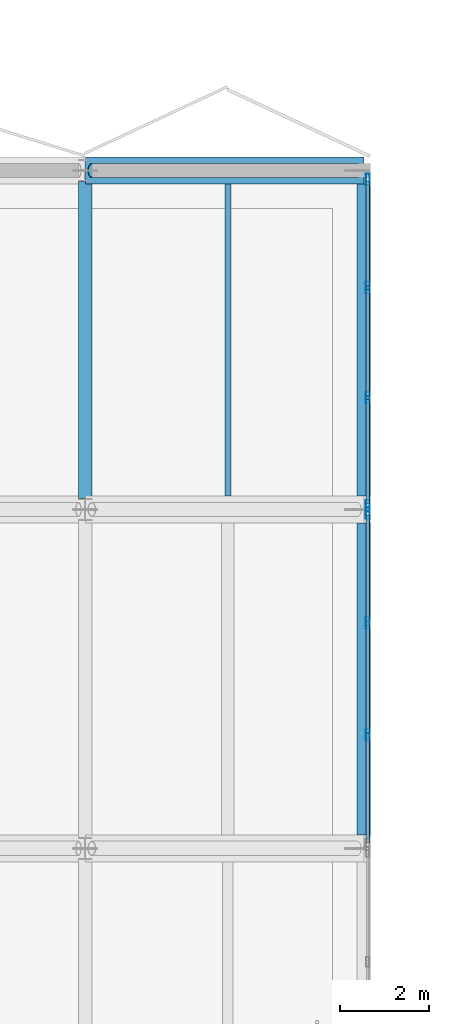
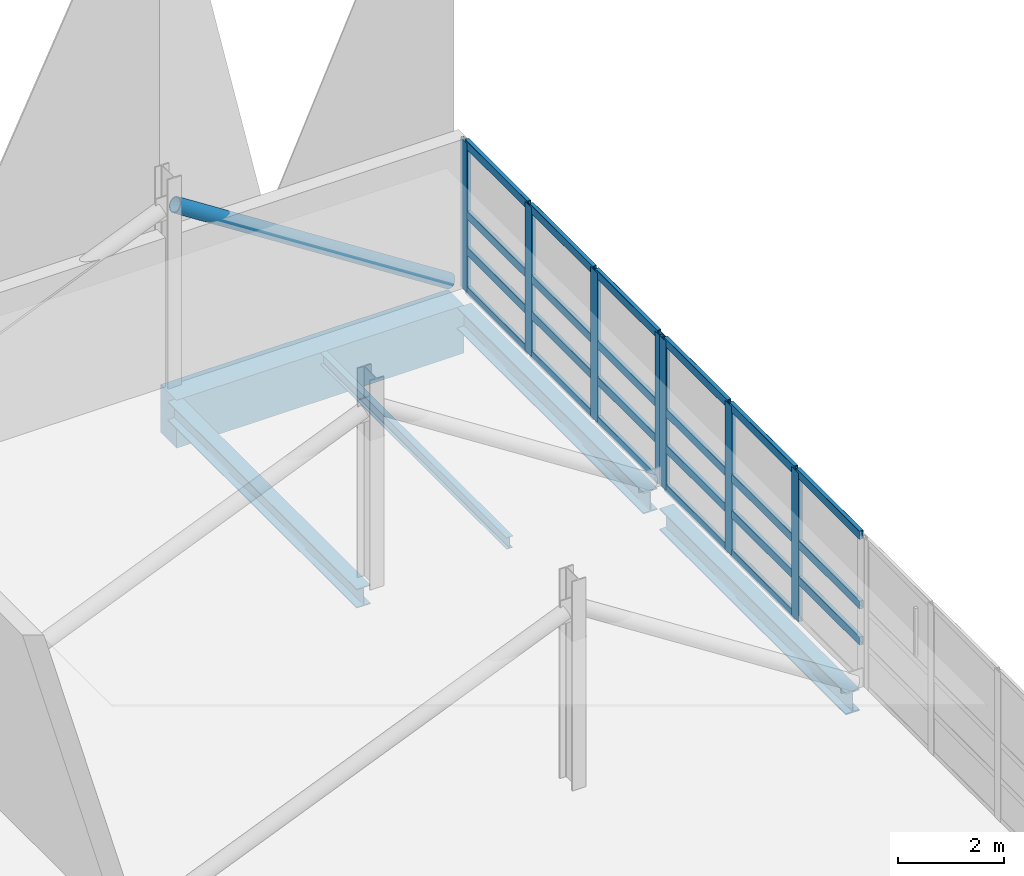
# One storey, part 17 of 107: 31 members, 5 beams, 2 elements without a shape of their own.
"""IFC4 building model written with IfcOpenShell, lengths in metres."""

from ifc_helpers import new_model, si_unit, direction, frame, origin, origin_2d, place, context, subcontext, project, spatial, rectangle, hollow_rectangle, hollow_circle, i_section, extrude, material, material_profile, profile_set, type_object, element, aggregate, save


model = new_model("IFC4")

# Units and contexts
model_context = context("Model", 3, precision=1e-05, world=origin(), true_north=direction((0.0, 1.0)))
body_context = subcontext(model_context, "Body", "Model", "MODEL_VIEW")
ifc_project = project(units=[si_unit("LENGTHUNIT", "METRE"), si_unit("AREAUNIT", "SQUARE_METRE"), si_unit("VOLUMEUNIT", "CUBIC_METRE"), si_unit("PLANEANGLEUNIT", "RADIAN"), si_unit("MASSUNIT", "GRAM", prefix="KILO")], contexts=[model_context])

# Site, building, storey
site_placement = place(None, origin())
site = spatial("IfcSite", under=ifc_project, at=site_placement, CompositionType="ELEMENT")
building_placement = place(site_placement, origin())
building = spatial("IfcBuilding", under=site, at=building_placement, Name="Khelvaren Railside Concert Hall", CompositionType="ELEMENT")
storey_placement = place(building_placement, frame((0.0, 0.0, 15.0)))
storey = spatial("IfcBuildingStorey", under=building, at=storey_placement, Name="L03", CompositionType="ELEMENT", Elevation=15.0)

# Beam
ifc_material_1 = material(Name="Steel S355", Category="steel")
ifc_material_profile_1 = material_profile(ifc_material_1, i_section(OverallWidth=0.300048828125, OverallDepth=0.43994140625, WebThickness=0.011474609375, FlangeThickness=0.02099609375, FilletRadius=0.027099609375, at=origin_2d()), Name="HEA 450")
ifc_profile_set_1 = profile_set([ifc_material_profile_1], Name="Steel S355")
beam_type_1 = type_object("IfcBeamType", Name="BM89", PredefinedType="BEAM", material=ifc_profile_set_1)
beam_1_placement = place(storey_placement, frame((49.60009765625, 38.25, -0.5), z_axis=(0.0, 1.0, 0.0), x_axis=(-1.0, 0.0, 0.0)))
element("IfcBeam", 1, at=beam_1_placement, inside=storey, type_object=beam_type_1, Name="V1 L03 Beam Y7.6", PredefinedType="BEAM", context=body_context, shape_type="SweptSolid", body=[
    extrude(i_section(OverallWidth=0.300048828125, OverallDepth=0.43994140625, WebThickness=0.011474609375, FlangeThickness=0.02099609375, FilletRadius=0.027099609375, at=origin_2d()), origin(), (0.0, 0.0, 1.0), 7.10009765625),
])

# Member
ifc_material_profile_2 = material_profile(ifc_material_1, hollow_circle(Radius=0.161865234375, WallThickness=0.01611328125, at=origin_2d()), Name="CHS 323.9x16")
ifc_profile_set_2 = profile_set([ifc_material_profile_2], Name="Steel S355")
member_type_1 = type_object("IfcMemberType", Name="BR78", PredefinedType="BRACE", material=ifc_profile_set_2)
member_1_placement = place(storey_placement, frame((49.75, 45.60009765625, 3.97998046875), z_axis=(0.840849865516, 0.0, -0.541268421083), x_axis=(0.0, 1.0, 0.0)))
element("IfcMember", 2, at=member_1_placement, inside=storey, type_object=member_type_1, Name="V1 L03 Plaza Cantilever Truss Diagonal 7A", PredefinedType="BRACE", context=body_context, shape_type="SweptSolid", body=[
    extrude(hollow_circle(Radius=0.161865234375, WallThickness=0.01611328125, at=origin_2d()), origin(), (0.0, 0.0, 1.0), 7.076171875),
])

# Curtain wall, members
ifc_material_2 = material(Name="Acoustic laminated crystal facade glass", Category="glass")
curtain_wall_type_1 = type_object("IfcCurtainWallType", Name="CW21", PredefinedType="USERDEFINED", material=ifc_material_2)
curtain_wall_1_placement = place(storey_placement, origin())
curtain_wall_1 = element("IfcCurtainWall", 3, at=curtain_wall_1_placement, inside=storey, type_object=curtain_wall_type_1, Name="Unitised Curtain Wall CW-V1-L03-E-30", ObjectType="UNITISED CURTAIN WALL", PredefinedType="USERDEFINED")
ifc_material_3 = material(Name="Anodised architectural aluminium 6063-T6", Category="aluminium")
ifc_material_profile_3 = material_profile(ifc_material_3, hollow_rectangle(XDim=0.0849609375, YDim=0.260009765625, WallThickness=0.0048828125, InnerFilletRadius=0.0029296875, OuterFilletRadius=0.0048828125, at=origin_2d()), Name="CWM 85x260x5")
ifc_profile_set_3 = profile_set([ifc_material_profile_3], Name="Anodised architectural aluminium 6063-T6")
member_type_2 = type_object("IfcMemberType", Name="CWM40", PredefinedType="MULLION", material=ifc_profile_set_3)
member_2_placement = place(storey_placement, frame((55.93994140625, 37.91748046875, 0.0), z_axis=(0.0, 0.0, 1.0), x_axis=(1.0, 0.0, 0.0)))
member_2 = element("IfcMember", 4, at=member_2_placement, type_object=member_type_2, Name="CW21 mullion 1", PredefinedType="MULLION", context=body_context, shape_type="SweptSolid", body=[
    extrude(hollow_rectangle(XDim=0.0849609375, YDim=0.260009765625, WallThickness=0.0048828125, InnerFilletRadius=0.0029296875, OuterFilletRadius=0.0048828125, at=origin_2d()), origin(), (0.0, 0.0, 1.0), 3.419921875),
])
member_3_placement = place(storey_placement, frame((55.93994140625, 35.453369140625, 0.0), z_axis=(0.0, 0.0, 1.0), x_axis=(1.0, 0.0, 0.0)))
member_3 = element("IfcMember", 5, at=member_3_placement, type_object=member_type_2, Name="CW21 mullion 2", PredefinedType="MULLION", context=body_context, shape_type="SweptSolid", body=[
    extrude(hollow_rectangle(XDim=0.0849609375, YDim=0.260009765625, WallThickness=0.0048828125, InnerFilletRadius=0.0029296875, OuterFilletRadius=0.0048828125, at=origin_2d()), origin(), (0.0, 0.0, 1.0), 3.419921875),
])
member_4_placement = place(storey_placement, frame((55.93994140625, 32.94677734375, 0.0), z_axis=(0.0, 0.0, 1.0), x_axis=(1.0, 0.0, 0.0)))
member_4 = element("IfcMember", 6, at=member_4_placement, type_object=member_type_2, Name="CW21 mullion 3", PredefinedType="MULLION", context=body_context, shape_type="SweptSolid", body=[
    extrude(hollow_rectangle(XDim=0.0849609375, YDim=0.260009765625, WallThickness=0.0048828125, InnerFilletRadius=0.0029296875, OuterFilletRadius=0.0048828125, at=origin_2d()), origin(), (0.0, 0.0, 1.0), 3.419921875),
])

curtain_wall_type_2 = type_object("IfcCurtainWallType", Name="CW15", PredefinedType="USERDEFINED", material=ifc_material_2)
curtain_wall_2_placement = place(storey_placement, origin())
curtain_wall_2 = element("IfcCurtainWall", 7, at=curtain_wall_2_placement, inside=storey, type_object=curtain_wall_type_2, Name="Unitised Curtain Wall CW-V1-L03-E-38", ObjectType="UNITISED CURTAIN WALL", PredefinedType="USERDEFINED")
member_5_placement = place(storey_placement, frame((55.93994140625, 45.3974609375, 0.0), z_axis=(0.0, 0.0, 1.0), x_axis=(1.0, 0.0, 0.0)))
member_5 = element("IfcMember", 8, at=member_5_placement, type_object=member_type_2, Name="CW15 mullion 1", PredefinedType="MULLION", context=body_context, shape_type="SweptSolid", body=[
    extrude(hollow_rectangle(XDim=0.0849609375, YDim=0.260009765625, WallThickness=0.0048828125, InnerFilletRadius=0.0029296875, OuterFilletRadius=0.0048828125, at=origin_2d()), origin(), (0.0, 0.0, 1.0), 3.419921875),
])
member_6_placement = place(storey_placement, frame((55.93994140625, 42.973388671875, 0.0), z_axis=(0.0, 0.0, 1.0), x_axis=(1.0, 0.0, 0.0)))
member_6 = element("IfcMember", 9, at=member_6_placement, type_object=member_type_2, Name="CW15 mullion 2", PredefinedType="MULLION", context=body_context, shape_type="SweptSolid", body=[
    extrude(hollow_rectangle(XDim=0.0849609375, YDim=0.260009765625, WallThickness=0.0048828125, InnerFilletRadius=0.0029296875, OuterFilletRadius=0.0048828125, at=origin_2d()), origin(), (0.0, 0.0, 1.0), 3.419921875),
])
member_7_placement = place(storey_placement, frame((55.93994140625, 40.506591796875, 0.0), z_axis=(0.0, 0.0, 1.0), x_axis=(1.0, 0.0, 0.0)))
member_7 = element("IfcMember", 10, at=member_7_placement, type_object=member_type_2, Name="CW15 mullion 3", PredefinedType="MULLION", context=body_context, shape_type="SweptSolid", body=[
    extrude(hollow_rectangle(XDim=0.0849609375, YDim=0.260009765625, WallThickness=0.0048828125, InnerFilletRadius=0.0029296875, OuterFilletRadius=0.0048828125, at=origin_2d()), origin(), (0.0, 0.0, 1.0), 3.419921875),
])
member_8_placement = place(storey_placement, frame((55.93994140625, 38.08251953125, 0.0), z_axis=(0.0, 0.0, 1.0), x_axis=(1.0, 0.0, 0.0)))
member_8 = element("IfcMember", 11, at=member_8_placement, type_object=member_type_2, Name="CW15 mullion 4", PredefinedType="MULLION", context=body_context, shape_type="SweptSolid", body=[
    extrude(hollow_rectangle(XDim=0.0849609375, YDim=0.260009765625, WallThickness=0.0048828125, InnerFilletRadius=0.0029296875, OuterFilletRadius=0.0048828125, at=origin_2d()), origin(), (0.0, 0.0, 1.0), 3.419921875),
])

# Member
ifc_material_profile_4 = material_profile(ifc_material_3, hollow_rectangle(XDim=0.0849609375, YDim=0.18994140625, WallThickness=0.0048828125, InnerFilletRadius=0.0029296875, OuterFilletRadius=0.0048828125, at=origin_2d()), Name="CWT 85x190x5")
ifc_profile_set_4 = profile_set([ifc_material_profile_4], Name="Anodised architectural aluminium 6063-T6")
member_type_3 = type_object("IfcMemberType", Name="CWT31", PredefinedType="USERDEFINED", material=ifc_profile_set_4)
member_9_placement = place(storey_placement, frame((55.93994140625, 37.875, 0.04248046875), z_axis=(0.0, -1.0, 0.0), x_axis=(1.0, 0.0, 0.0)))
member_9 = element("IfcMember", 12, at=member_9_placement, type_object=member_type_3, Name="CW21 transom 1.1", ObjectType="TRANSOM", PredefinedType="USERDEFINED", context=body_context, shape_type="SweptSolid", body=[
    extrude(hollow_rectangle(XDim=0.0849609375, YDim=0.18994140625, WallThickness=0.0048828125, InnerFilletRadius=0.0029296875, OuterFilletRadius=0.0048828125, at=origin_2d()), origin(), (0.0, 0.0, 1.0), 2.379150390625),
])

member_10_placement = place(storey_placement, frame((55.93994140625, 37.875, 0.949951171875), z_axis=(0.0, -1.0, 0.0), x_axis=(1.0, 0.0, 0.0)))
member_10 = element("IfcMember", 13, at=member_10_placement, type_object=member_type_3, Name="CW21 transom 1.2", ObjectType="TRANSOM", PredefinedType="USERDEFINED", context=body_context, shape_type="SweptSolid", body=[
    extrude(hollow_rectangle(XDim=0.0849609375, YDim=0.18994140625, WallThickness=0.0048828125, InnerFilletRadius=0.0029296875, OuterFilletRadius=0.0048828125, at=origin_2d()), origin(), (0.0, 0.0, 1.0), 2.379150390625),
])

member_11_placement = place(storey_placement, frame((55.93994140625, 37.875, 1.7783203125), z_axis=(0.0, -1.0, 0.0), x_axis=(1.0, 0.0, 0.0)))
member_11 = element("IfcMember", 14, at=member_11_placement, type_object=member_type_3, Name="CW21 transom 1.3", ObjectType="TRANSOM", PredefinedType="USERDEFINED", context=body_context, shape_type="SweptSolid", body=[
    extrude(hollow_rectangle(XDim=0.0849609375, YDim=0.18994140625, WallThickness=0.0048828125, InnerFilletRadius=0.0029296875, OuterFilletRadius=0.0048828125, at=origin_2d()), origin(), (0.0, 0.0, 1.0), 2.379150390625),
])

member_12_placement = place(storey_placement, frame((55.93994140625, 37.875, 3.37744140625), z_axis=(0.0, -1.0, 0.0), x_axis=(1.0, 0.0, 0.0)))
member_12 = element("IfcMember", 15, at=member_12_placement, type_object=member_type_3, Name="CW21 transom 1.4", ObjectType="TRANSOM", PredefinedType="USERDEFINED", context=body_context, shape_type="SweptSolid", body=[
    extrude(hollow_rectangle(XDim=0.0849609375, YDim=0.18994140625, WallThickness=0.0048828125, InnerFilletRadius=0.0029296875, OuterFilletRadius=0.0048828125, at=origin_2d()), origin(), (0.0, 0.0, 1.0), 2.379150390625),
])

member_13_placement = place(storey_placement, frame((55.93994140625, 35.410888671875, 0.04248046875), z_axis=(0.0, -1.0, 0.0), x_axis=(1.0, 0.0, 0.0)))
member_13 = element("IfcMember", 16, at=member_13_placement, type_object=member_type_3, Name="CW21 transom 2.1", ObjectType="TRANSOM", PredefinedType="USERDEFINED", context=body_context, shape_type="SweptSolid", body=[
    extrude(hollow_rectangle(XDim=0.0849609375, YDim=0.18994140625, WallThickness=0.0048828125, InnerFilletRadius=0.0029296875, OuterFilletRadius=0.0048828125, at=origin_2d()), origin(), (0.0, 0.0, 1.0), 2.421630859375),
])

member_14_placement = place(storey_placement, frame((55.93994140625, 35.410888671875, 0.949951171875), z_axis=(0.0, -1.0, 0.0), x_axis=(1.0, 0.0, 0.0)))
member_14 = element("IfcMember", 17, at=member_14_placement, type_object=member_type_3, Name="CW21 transom 2.2", ObjectType="TRANSOM", PredefinedType="USERDEFINED", context=body_context, shape_type="SweptSolid", body=[
    extrude(hollow_rectangle(XDim=0.0849609375, YDim=0.18994140625, WallThickness=0.0048828125, InnerFilletRadius=0.0029296875, OuterFilletRadius=0.0048828125, at=origin_2d()), origin(), (0.0, 0.0, 1.0), 2.421630859375),
])

member_15_placement = place(storey_placement, frame((55.93994140625, 35.410888671875, 1.7783203125), z_axis=(0.0, -1.0, 0.0), x_axis=(1.0, 0.0, 0.0)))
member_15 = element("IfcMember", 18, at=member_15_placement, type_object=member_type_3, Name="CW21 transom 2.3", ObjectType="TRANSOM", PredefinedType="USERDEFINED", context=body_context, shape_type="SweptSolid", body=[
    extrude(hollow_rectangle(XDim=0.0849609375, YDim=0.18994140625, WallThickness=0.0048828125, InnerFilletRadius=0.0029296875, OuterFilletRadius=0.0048828125, at=origin_2d()), origin(), (0.0, 0.0, 1.0), 2.421630859375),
])

member_16_placement = place(storey_placement, frame((55.93994140625, 35.410888671875, 3.37744140625), z_axis=(0.0, -1.0, 0.0), x_axis=(1.0, 0.0, 0.0)))
member_16 = element("IfcMember", 19, at=member_16_placement, type_object=member_type_3, Name="CW21 transom 2.4", ObjectType="TRANSOM", PredefinedType="USERDEFINED", context=body_context, shape_type="SweptSolid", body=[
    extrude(hollow_rectangle(XDim=0.0849609375, YDim=0.18994140625, WallThickness=0.0048828125, InnerFilletRadius=0.0029296875, OuterFilletRadius=0.0048828125, at=origin_2d()), origin(), (0.0, 0.0, 1.0), 2.421630859375),
])

member_17_placement = place(storey_placement, frame((55.93994140625, 32.904052734375, 0.949951171875), z_axis=(0.0, -1.0, 0.0), x_axis=(1.0, 0.0, 0.0)))
member_17 = element("IfcMember", 20, at=member_17_placement, type_object=member_type_3, Name="CW21 transom 3.2", ObjectType="TRANSOM", PredefinedType="USERDEFINED", context=body_context, shape_type="SweptSolid", body=[
    extrude(hollow_rectangle(XDim=0.0849609375, YDim=0.18994140625, WallThickness=0.0048828125, InnerFilletRadius=0.0029296875, OuterFilletRadius=0.0048828125, at=origin_2d()), origin(), (0.0, 0.0, 1.0), 2.379150390625),
])

member_18_placement = place(storey_placement, frame((55.93994140625, 32.904052734375, 1.7783203125), z_axis=(0.0, -1.0, 0.0), x_axis=(1.0, 0.0, 0.0)))
member_18 = element("IfcMember", 21, at=member_18_placement, type_object=member_type_3, Name="CW21 transom 3.3", ObjectType="TRANSOM", PredefinedType="USERDEFINED", context=body_context, shape_type="SweptSolid", body=[
    extrude(hollow_rectangle(XDim=0.0849609375, YDim=0.18994140625, WallThickness=0.0048828125, InnerFilletRadius=0.0029296875, OuterFilletRadius=0.0048828125, at=origin_2d()), origin(), (0.0, 0.0, 1.0), 2.379150390625),
])

member_19_placement = place(storey_placement, frame((55.93994140625, 32.904052734375, 3.37744140625), z_axis=(0.0, -1.0, 0.0), x_axis=(1.0, 0.0, 0.0)))
member_19 = element("IfcMember", 22, at=member_19_placement, type_object=member_type_3, Name="CW21 transom 3.4", ObjectType="TRANSOM", PredefinedType="USERDEFINED", context=body_context, shape_type="SweptSolid", body=[
    extrude(hollow_rectangle(XDim=0.0849609375, YDim=0.18994140625, WallThickness=0.0048828125, InnerFilletRadius=0.0029296875, OuterFilletRadius=0.0048828125, at=origin_2d()), origin(), (0.0, 0.0, 1.0), 2.379150390625),
])

aggregate(curtain_wall_1, [member_2, member_3, member_4, member_9, member_10, member_11, member_12, member_13, member_14, member_15, member_16, member_17, member_18, member_19])

member_20_placement = place(storey_placement, frame((55.93994140625, 45.35498046875, 0.04248046875), z_axis=(0.0, -1.0, 0.0), x_axis=(1.0, 0.0, 0.0)))
member_20 = element("IfcMember", 23, at=member_20_placement, type_object=member_type_3, Name="CW15 transom 1.1", ObjectType="TRANSOM", PredefinedType="USERDEFINED", context=body_context, shape_type="SweptSolid", body=[
    extrude(hollow_rectangle(XDim=0.0849609375, YDim=0.18994140625, WallThickness=0.0048828125, InnerFilletRadius=0.0029296875, OuterFilletRadius=0.0048828125, at=origin_2d()), origin(), (0.0, 0.0, 1.0), 2.339111328125),
])

member_21_placement = place(storey_placement, frame((55.93994140625, 45.35498046875, 0.949951171875), z_axis=(0.0, -1.0, 0.0), x_axis=(1.0, 0.0, 0.0)))
member_21 = element("IfcMember", 24, at=member_21_placement, type_object=member_type_3, Name="CW15 transom 1.2", ObjectType="TRANSOM", PredefinedType="USERDEFINED", context=body_context, shape_type="SweptSolid", body=[
    extrude(hollow_rectangle(XDim=0.0849609375, YDim=0.18994140625, WallThickness=0.0048828125, InnerFilletRadius=0.0029296875, OuterFilletRadius=0.0048828125, at=origin_2d()), origin(), (0.0, 0.0, 1.0), 2.339111328125),
])

member_22_placement = place(storey_placement, frame((55.93994140625, 45.35498046875, 1.7783203125), z_axis=(0.0, -1.0, 0.0), x_axis=(1.0, 0.0, 0.0)))
member_22 = element("IfcMember", 25, at=member_22_placement, type_object=member_type_3, Name="CW15 transom 1.3", ObjectType="TRANSOM", PredefinedType="USERDEFINED", context=body_context, shape_type="SweptSolid", body=[
    extrude(hollow_rectangle(XDim=0.0849609375, YDim=0.18994140625, WallThickness=0.0048828125, InnerFilletRadius=0.0029296875, OuterFilletRadius=0.0048828125, at=origin_2d()), origin(), (0.0, 0.0, 1.0), 2.339111328125),
])

member_23_placement = place(storey_placement, frame((55.93994140625, 45.35498046875, 3.37744140625), z_axis=(0.0, -1.0, 0.0), x_axis=(1.0, 0.0, 0.0)))
member_23 = element("IfcMember", 26, at=member_23_placement, type_object=member_type_3, Name="CW15 transom 1.4", ObjectType="TRANSOM", PredefinedType="USERDEFINED", context=body_context, shape_type="SweptSolid", body=[
    extrude(hollow_rectangle(XDim=0.0849609375, YDim=0.18994140625, WallThickness=0.0048828125, InnerFilletRadius=0.0029296875, OuterFilletRadius=0.0048828125, at=origin_2d()), origin(), (0.0, 0.0, 1.0), 2.339111328125),
])

member_24_placement = place(storey_placement, frame((55.93994140625, 42.930908203125, 0.04248046875), z_axis=(0.0, -1.0, 0.0), x_axis=(1.0, 0.0, 0.0)))
member_24 = element("IfcMember", 27, at=member_24_placement, type_object=member_type_3, Name="CW15 transom 2.1", ObjectType="TRANSOM", PredefinedType="USERDEFINED", context=body_context, shape_type="SweptSolid", body=[
    extrude(hollow_rectangle(XDim=0.0849609375, YDim=0.18994140625, WallThickness=0.0048828125, InnerFilletRadius=0.0029296875, OuterFilletRadius=0.0048828125, at=origin_2d()), origin(), (0.0, 0.0, 1.0), 2.3818359375),
])

member_25_placement = place(storey_placement, frame((55.93994140625, 42.930908203125, 0.949951171875), z_axis=(0.0, -1.0, 0.0), x_axis=(1.0, 0.0, 0.0)))
member_25 = element("IfcMember", 28, at=member_25_placement, type_object=member_type_3, Name="CW15 transom 2.2", ObjectType="TRANSOM", PredefinedType="USERDEFINED", context=body_context, shape_type="SweptSolid", body=[
    extrude(hollow_rectangle(XDim=0.0849609375, YDim=0.18994140625, WallThickness=0.0048828125, InnerFilletRadius=0.0029296875, OuterFilletRadius=0.0048828125, at=origin_2d()), origin(), (0.0, 0.0, 1.0), 2.3818359375),
])

member_26_placement = place(storey_placement, frame((55.93994140625, 42.930908203125, 1.7783203125), z_axis=(0.0, -1.0, 0.0), x_axis=(1.0, 0.0, 0.0)))
member_26 = element("IfcMember", 29, at=member_26_placement, type_object=member_type_3, Name="CW15 transom 2.3", ObjectType="TRANSOM", PredefinedType="USERDEFINED", context=body_context, shape_type="SweptSolid", body=[
    extrude(hollow_rectangle(XDim=0.0849609375, YDim=0.18994140625, WallThickness=0.0048828125, InnerFilletRadius=0.0029296875, OuterFilletRadius=0.0048828125, at=origin_2d()), origin(), (0.0, 0.0, 1.0), 2.3818359375),
])

member_27_placement = place(storey_placement, frame((55.93994140625, 42.930908203125, 3.37744140625), z_axis=(0.0, -1.0, 0.0), x_axis=(1.0, 0.0, 0.0)))
member_27 = element("IfcMember", 30, at=member_27_placement, type_object=member_type_3, Name="CW15 transom 2.4", ObjectType="TRANSOM", PredefinedType="USERDEFINED", context=body_context, shape_type="SweptSolid", body=[
    extrude(hollow_rectangle(XDim=0.0849609375, YDim=0.18994140625, WallThickness=0.0048828125, InnerFilletRadius=0.0029296875, OuterFilletRadius=0.0048828125, at=origin_2d()), origin(), (0.0, 0.0, 1.0), 2.3818359375),
])

member_28_placement = place(storey_placement, frame((55.93994140625, 40.464111328125, 0.04248046875), z_axis=(0.0, -1.0, 0.0), x_axis=(1.0, 0.0, 0.0)))
member_28 = element("IfcMember", 31, at=member_28_placement, type_object=member_type_3, Name="CW15 transom 3.1", ObjectType="TRANSOM", PredefinedType="USERDEFINED", context=body_context, shape_type="SweptSolid", body=[
    extrude(hollow_rectangle(XDim=0.0849609375, YDim=0.18994140625, WallThickness=0.0048828125, InnerFilletRadius=0.0029296875, OuterFilletRadius=0.0048828125, at=origin_2d()), origin(), (0.0, 0.0, 1.0), 2.339111328125),
])

member_29_placement = place(storey_placement, frame((55.93994140625, 40.464111328125, 0.949951171875), z_axis=(0.0, -1.0, 0.0), x_axis=(1.0, 0.0, 0.0)))
member_29 = element("IfcMember", 32, at=member_29_placement, type_object=member_type_3, Name="CW15 transom 3.2", ObjectType="TRANSOM", PredefinedType="USERDEFINED", context=body_context, shape_type="SweptSolid", body=[
    extrude(hollow_rectangle(XDim=0.0849609375, YDim=0.18994140625, WallThickness=0.0048828125, InnerFilletRadius=0.0029296875, OuterFilletRadius=0.0048828125, at=origin_2d()), origin(), (0.0, 0.0, 1.0), 2.339111328125),
])

member_30_placement = place(storey_placement, frame((55.93994140625, 40.464111328125, 1.7783203125), z_axis=(0.0, -1.0, 0.0), x_axis=(1.0, 0.0, 0.0)))
member_30 = element("IfcMember", 33, at=member_30_placement, type_object=member_type_3, Name="CW15 transom 3.3", ObjectType="TRANSOM", PredefinedType="USERDEFINED", context=body_context, shape_type="SweptSolid", body=[
    extrude(hollow_rectangle(XDim=0.0849609375, YDim=0.18994140625, WallThickness=0.0048828125, InnerFilletRadius=0.0029296875, OuterFilletRadius=0.0048828125, at=origin_2d()), origin(), (0.0, 0.0, 1.0), 2.339111328125),
])

member_31_placement = place(storey_placement, frame((55.93994140625, 40.464111328125, 3.37744140625), z_axis=(0.0, -1.0, 0.0), x_axis=(1.0, 0.0, 0.0)))
member_31 = element("IfcMember", 34, at=member_31_placement, type_object=member_type_3, Name="CW15 transom 3.4", ObjectType="TRANSOM", PredefinedType="USERDEFINED", context=body_context, shape_type="SweptSolid", body=[
    extrude(hollow_rectangle(XDim=0.0849609375, YDim=0.18994140625, WallThickness=0.0048828125, InnerFilletRadius=0.0029296875, OuterFilletRadius=0.0048828125, at=origin_2d()), origin(), (0.0, 0.0, 1.0), 2.339111328125),
])

aggregate(curtain_wall_2, [member_5, member_6, member_7, member_8, member_20, member_21, member_22, member_23, member_24, member_25, member_26, member_27, member_28, member_29, member_30, member_31])

# Beams
ifc_material_4 = material(Name="Concrete C40/50", Category="concrete")
ifc_material_profile_5 = material_profile(ifc_material_4, rectangle(XDim=0.60009765625, YDim=1.10009765625, at=origin_2d()), Name="RCB 600x1100")
ifc_profile_set_5 = profile_set([ifc_material_profile_5], Name="Concrete C40/50")
beam_type_2 = type_object("IfcBeamType", Name="GR15", PredefinedType="T_BEAM", material=ifc_profile_set_5)
beam_2_placement = place(storey_placement, frame((49.610107421875, 45.60009765625, -0.830078125), z_axis=(1.0, 0.0, 0.0), x_axis=(0.0, 1.0, 0.0)))
element("IfcBeam", 35, at=beam_2_placement, inside=storey, type_object=beam_type_2, Name="V1 L03 Arrival Cantilever Girder 7", PredefinedType="T_BEAM", context=body_context, shape_type="SweptSolid", body=[
    extrude(rectangle(XDim=0.60009765625, YDim=1.10009765625, at=origin_2d()), origin(), (0.0, 0.0, 1.0), 6.239990234375),
])
ifc_material_profile_6 = material_profile(ifc_material_1, i_section(OverallWidth=0.135009765625, OverallDepth=0.27001953125, WebThickness=0.006591796875, FlangeThickness=0.01025390625, FilletRadius=0.014892578125, at=origin_2d()), Name="IPE 270")
ifc_profile_set_6 = profile_set([ifc_material_profile_6], Name="Steel S355")
beam_type_3 = type_object("IfcBeamType", Name="JS78", PredefinedType="JOIST", material=ifc_profile_set_6)
beam_3_placement = place(storey_placement, frame((52.800048828125, 38.300048828125, -0.4150390625), z_axis=(0.0, 1.0, 0.0), x_axis=(-1.0, 0.0, 0.0)))
element("IfcBeam", 36, at=beam_3_placement, inside=storey, type_object=beam_type_3, Name="V1 L03 Secondary Joist 7.6", PredefinedType="JOIST", context=body_context, shape_type="SweptSolid", body=[
    extrude(i_section(OverallWidth=0.135009765625, OverallDepth=0.27001953125, WebThickness=0.006591796875, FlangeThickness=0.01025390625, FilletRadius=0.014892578125, at=origin_2d()), origin(), (0.0, 0.0, 1.0), 7.0),
])
ifc_material_profile_7 = material_profile(ifc_material_1, i_section(OverallWidth=0.300048828125, OverallDepth=0.5, WebThickness=0.014404296875, FlangeThickness=0.028076171875, FilletRadius=0.027099609375, at=origin_2d()), Name="HEB 500")
ifc_profile_set_7 = profile_set([ifc_material_profile_7], Name="Steel S355")
beam_type_4 = type_object("IfcBeamType", Name="SP12", PredefinedType="SPANDREL", material=ifc_profile_set_7)
for number, where, z_axis, x_axis, name in (
    (37, (55.85009765625, 30.699951171875, -0.530029296875), (0.0, 1.0, 0.0), (-1.0, 0.0, 0.0), "V1 L03 Cantilever Tip Spandrel Y5"),
    (38, (55.85009765625, 38.300048828125, -0.530029296875), (0.0, 1.0, 0.0), (-1.0, 0.0, 0.0), "V1 L03 Cantilever Tip Spandrel Y6"),
):
    element("IfcBeam", number, at=place(storey_placement, frame(where, z_axis=z_axis, x_axis=x_axis)), inside=storey, type_object=beam_type_4, Name=name, PredefinedType="SPANDREL", context=body_context, shape_type="SweptSolid", body=[
        extrude(i_section(OverallWidth=0.300048828125, OverallDepth=0.5, WebThickness=0.014404296875, FlangeThickness=0.028076171875, FilletRadius=0.027099609375, at=origin_2d()), origin(), (0.0, 0.0, 1.0), 7.0),
    ])

save(model, "model.ifc")
